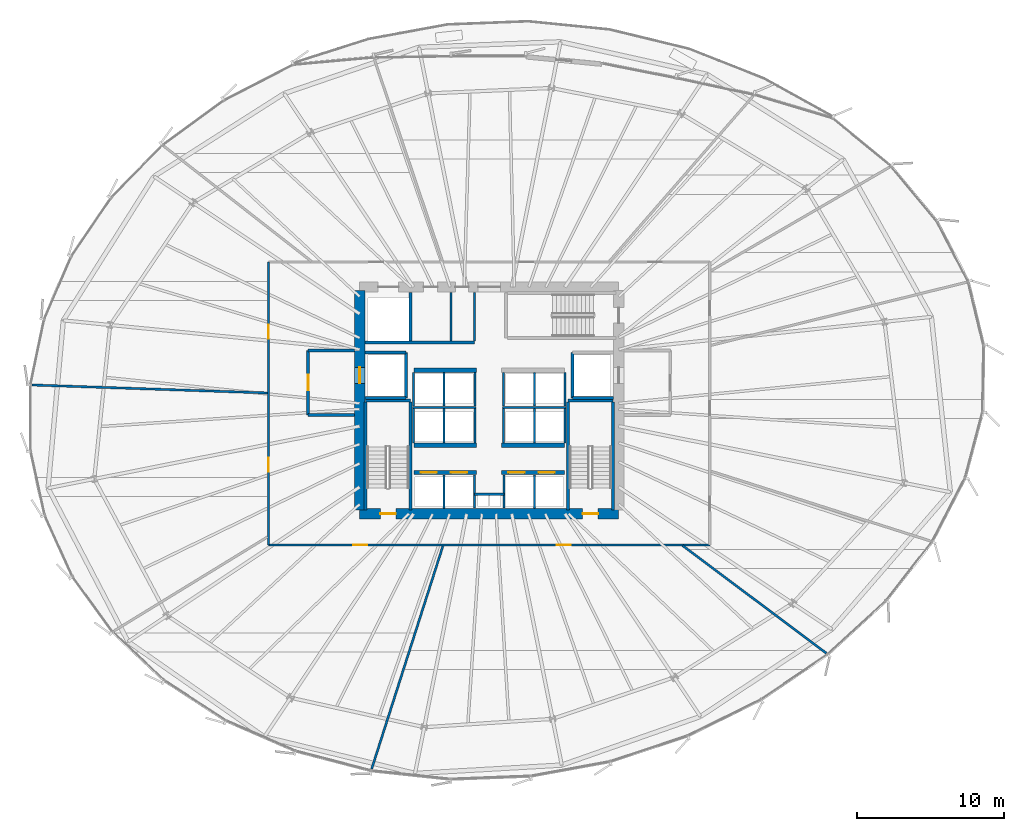
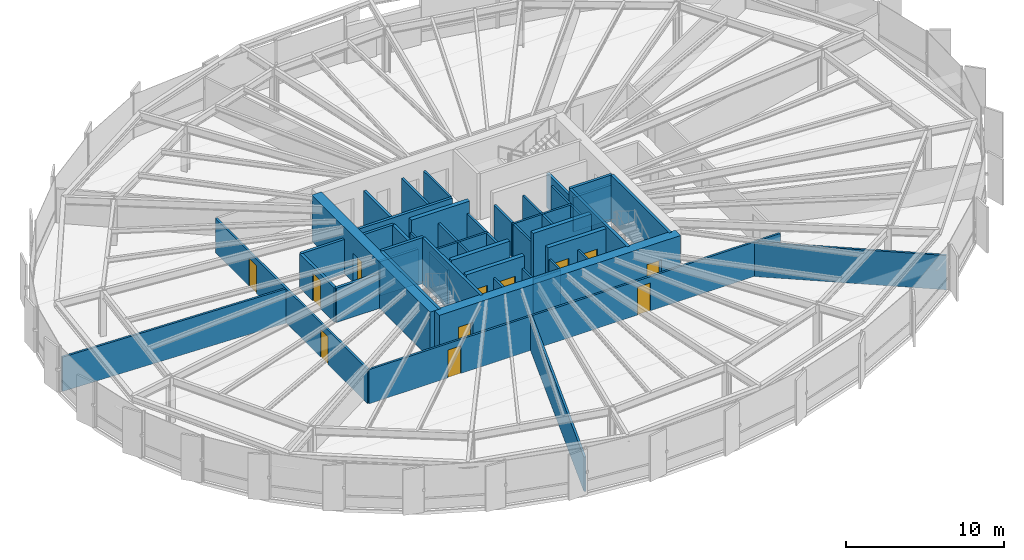
# One storey, part 30 of 37: 49 walls, 12 doors, 12 openings.
"""IFC4 building model written with IfcOpenShell, lengths in metres."""

from ifc_helpers import new_model, si_unit, direction, frame, frame_2d, origin, place, context, subcontext, project, spatial, rectangle, extrude, source, transform, mapped, material, layer, layer_set, type_object, element, fill, save


model = new_model("IFC4")

# Units and contexts
model_context = context("Model", 3, precision=1e-05, world=origin(), true_north=direction((0.0, 1.0)))
body_context = subcontext(model_context, "Body", "Model", "MODEL_VIEW")
ifc_project = project(units=[si_unit("LENGTHUNIT", "METRE"), si_unit("AREAUNIT", "SQUARE_METRE"), si_unit("VOLUMEUNIT", "CUBIC_METRE"), si_unit("PLANEANGLEUNIT", "RADIAN"), si_unit("MASSUNIT", "GRAM", prefix="KILO"), si_unit("THERMODYNAMICTEMPERATUREUNIT", "KELVIN")], contexts=[model_context])

# Site, building, storey
site_placement = place(None, origin())
site = spatial("IfcSite", under=ifc_project, at=site_placement, CompositionType="ELEMENT")
building_placement = place(site_placement, origin())
building = spatial("IfcBuilding", under=site, at=building_placement, Name="Kethvar Cultural Tower", CompositionType="ELEMENT")
storey_placement = place(building_placement, frame((0.0, 0.0, 56.199951171875)))
storey = spatial("IfcBuildingStorey", under=building, at=storey_placement, Name="L13", CompositionType="ELEMENT", Elevation=56.199951171875)

# Wall, openings, doors
ifc_material_1 = material(Name="Concrete C60/75", Category="concrete")
ifc_layer_1 = layer(ifc_material_1, 0.699951171875, Name="Concrete C60/75", Category="concrete")
ifc_layer_set_1 = layer_set([ifc_layer_1], Name="Concrete C60/75 (700 mm)")
wall_type_1 = type_object("IfcWallType", Name="WL-CORE-700", PredefinedType="SHEAR", material=ifc_layer_set_1)
wall_1_placement = place(storey_placement, frame((38.0, 20.10009765625, 0.0), z_axis=(0.0, 0.0, 1.0), x_axis=(1.0, 0.0, 0.0)))
wall_1 = element("IfcWall", 1, at=wall_1_placement, inside=storey, type_object=wall_type_1, Name="L13 Core Shear Wall S", PredefinedType="SHEAR", context=body_context, shape_type="SweptSolid", body=[
    extrude(rectangle(XDim=17.60009765625, YDim=0.699951171875, at=frame_2d((8.800048828125, 0.0))), origin(), (0.0, 0.0, 1.0), 3.550048828125),
])
opening_1_placement = place(wall_1_placement, frame((1.39990234375, 0.0, 0.0)))
opening_1 = element("IfcOpeningElement", 2, at=opening_1_placement, cuts=wall_1, Name="Opening D-L13-S1", PredefinedType="OPENING", context=body_context, shape_type="SweptSolid", body=[
    extrude(rectangle(XDim=1.050048828125, YDim=2.14990234375, at=frame_2d((0.52490234375, 1.074951171875))), frame((0.0, 0.35986328125, 0.0), z_axis=(0.0, -1.0, 0.0), x_axis=(1.0, 0.0, 0.0)), (0.0, 0.0, 1.0), 0.719970703125),
])
opening_2_placement = place(wall_1_placement, frame((15.14990234375, 0.0, 0.0)))
opening_2 = element("IfcOpeningElement", 3, at=opening_2_placement, cuts=wall_1, Name="Opening D-L13-ST2", PredefinedType="OPENING", context=body_context, shape_type="SweptSolid", body=[
    extrude(rectangle(XDim=1.050048828125, YDim=2.14990234375, at=frame_2d((0.52490234375, 1.074951171875))), frame((0.0, 0.35986328125, 0.0), z_axis=(0.0, -1.0, 0.0), x_axis=(1.0, 0.0, 0.0)), (0.0, 0.0, 1.0), 0.719970703125),
])
ifc_material_2 = material(Name="Steel S355J2", Category="steel")
door_type_1 = type_object("IfcDoorType", Name="DR-FD60-1050", OperationType="NOTDEFINED", PredefinedType="DOOR", material=ifc_material_2)
shared_shape_1 = source(origin(), body_context, "Body", "SweptSolid", [
    extrude(rectangle(XDim=1.050048828125, YDim=2.14990234375, at=frame_2d((0.52490234375, 1.074951171875))), frame((0.0, 0.02490234375, 0.0), z_axis=(0.0, -1.0, 0.0), x_axis=(1.0, 0.0, 0.0)), (0.0, 0.0, 1.0), 0.050048828125),
])
door_1_placement = place(opening_1_placement, origin())
door_1 = element("IfcDoor", 4, at=door_1_placement, inside=storey, type_object=door_type_1, Name="L13 Exit Stair 1 Door", OperationType="SINGLE_SWING_LEFT", OverallHeight=2.14990234375, OverallWidth=1.050048828125, PredefinedType="DOOR", context=body_context, shape_type="MappedRepresentation", body=[
    mapped(shared_shape_1, transform((0.0, 0.0, 0.0), scale=1.0)),
])
fill(opening_1, door_1)
door_2_placement = place(opening_2_placement, origin())
door_2 = element("IfcDoor", 5, at=door_2_placement, inside=storey, type_object=door_type_1, Name="L13 Exit Stair 2 Door", OperationType="SINGLE_SWING_RIGHT", OverallHeight=2.14990234375, OverallWidth=1.050048828125, PredefinedType="DOOR", context=body_context, shape_type="MappedRepresentation", body=[
    mapped(shared_shape_1, transform((0.0, 0.0, 0.0), scale=1.0)),
])
fill(opening_2, door_2)

# Wall, opening, door
wall_2_placement = place(storey_placement, frame((38.0, 35.260009765625, 0.0), z_axis=(0.0, 0.0, 1.0), x_axis=(0.0, -1.0, 0.0)))
wall_2 = element("IfcWall", 6, at=wall_2_placement, inside=storey, type_object=wall_type_1, Name="L13 Core Shear Wall W", PredefinedType="SHEAR", context=body_context, shape_type="SweptSolid", body=[
    extrude(rectangle(XDim=14.919921875, YDim=0.699951171875, at=frame_2d((7.4599609375, 0.0))), origin(), (0.0, 0.0, 1.0), 3.550048828125),
])
opening_3_placement = place(wall_2_placement, frame((5.2099609375, 0.0, 0.0)))
opening_3 = element("IfcOpeningElement", 7, at=opening_3_placement, cuts=wall_2, Name="Opening LD-1", PredefinedType="OPENING", context=body_context, shape_type="SweptSolid", body=[
    extrude(rectangle(XDim=1.10009765625, YDim=2.199951171875, at=frame_2d((0.550048828125, 1.10009765625))), frame((0.0, 0.35986328125, 0.0), z_axis=(0.0, -1.0, 0.0), x_axis=(1.0, 0.0, 0.0)), (0.0, 0.0, 1.0), 0.719970703125),
])
door_type_2 = type_object("IfcDoorType", Name="DR-LIFT-SLIDE-1100", OperationType="NOTDEFINED", PredefinedType="DOOR", material=ifc_material_2)
shared_shape_2 = source(origin(), body_context, "Body", "SweptSolid", [
    extrude(rectangle(XDim=1.10009765625, YDim=2.199951171875, at=frame_2d((0.550048828125, 1.10009765625))), frame((0.0, 0.02490234375, 0.0), z_axis=(0.0, -1.0, 0.0), x_axis=(1.0, 0.0, 0.0)), (0.0, 0.0, 1.0), 0.050048828125),
])
door_3_placement = place(opening_3_placement, origin())
door_3 = element("IfcDoor", 8, at=door_3_placement, inside=storey, type_object=door_type_2, Name="L13 Firefighting Lift Landing Door FFL-01", OperationType="SLIDING_TO_LEFT", OverallHeight=2.199951171875, OverallWidth=1.10009765625, PredefinedType="DOOR", context=body_context, shape_type="MappedRepresentation", body=[
    mapped(shared_shape_2, transform((0.0, 0.0, 0.0), scale=1.0)),
])
fill(opening_3, door_3)

# Walls
ifc_material_3 = material(Name="Gypsum Fireboard Partition")
ifc_layer_2 = layer(ifc_material_3, 0.14990234375, Name="Gypsum Fireboard Partition")
ifc_layer_set_2 = layer_set([ifc_layer_2], Name="Gypsum Fireboard Partition (150 mm)")
wall_type_2 = type_object("IfcWallType", Name="WL-FIRE-150", PredefinedType="PARTITIONING", material=ifc_layer_set_2)
wall_3_placement = place(storey_placement, frame((45.800048828125, 21.419921875, 0.0), z_axis=(0.0, 0.0, 1.0), x_axis=(1.0, 0.0, 0.0)))
element("IfcWall", 9, at=wall_3_placement, inside=storey, type_object=wall_type_2, Name="L13 Core Riser Wall", PredefinedType="PARTITIONING", context=body_context, shape_type="SweptSolid", body=[
    extrude(rectangle(XDim=2.0, YDim=0.14990234375, at=frame_2d((1.0, 0.0))), origin(), (0.0, 0.0, 1.0), 2.64501953125),
])
for number, where, z_axis, x_axis, name in (
    (10, (45.800048828125, 20.47998046875, 0.0), (0.0, 0.0, 1.0), (0.0, 1.0, 0.0), "L13 Core Riser West Wall"),
    (11, (47.800048828125, 20.47998046875, 0.0), (0.0, 0.0, 1.0), (0.0, 1.0, 0.0), "L13 Core Riser East Wall"),
):
    element("IfcWall", number, at=place(storey_placement, frame(where, z_axis=z_axis, x_axis=x_axis)), inside=storey, type_object=wall_type_2, Name=name, PredefinedType="PARTITIONING", context=body_context, shape_type="SweptSolid", body=[
        extrude(rectangle(XDim=2.239990234375, YDim=0.14990234375, at=frame_2d((1.1201171875, 0.0))), origin(), (0.0, 0.0, 1.0), 2.64501953125),
    ])
for number, where, z_axis, x_axis, name in (
    (12, (43.72509765625, 20.4599609375, 0.0), (0.0, 0.0, 1.0), (0.0, 1.0, 0.0), "L13 Low-Rise Lift Shaft Divider W"),
    (13, (49.875, 20.4599609375, 0.0), (0.0, 0.0, 1.0), (0.0, 1.0, 0.0), "L13 Low-Rise Lift Shaft Divider E"),
):
    element("IfcWall", number, at=place(storey_placement, frame(where, z_axis=z_axis, x_axis=x_axis)), inside=storey, type_object=wall_type_2, Name=name, PredefinedType="PARTITIONING", context=body_context, shape_type="SweptSolid", body=[
        extrude(rectangle(XDim=2.27001953125, YDim=0.14990234375, at=frame_2d((1.135009765625, 0.0))), origin(), (0.0, 0.0, 1.0), 2.64501953125),
    ])
wall_4_placement = place(storey_placement, frame((41.580078125, 27.324951171875, 0.0), z_axis=(0.0, 0.0, 1.0), x_axis=(1.0, 0.0, 0.0)))
element("IfcWall", 14, at=wall_4_placement, inside=storey, type_object=wall_type_2, Name="L13 Mid-High Lift Shaft Back Wall W", PredefinedType="PARTITIONING", context=body_context, shape_type="SweptSolid", body=[
    extrude(rectangle(XDim=4.31982421875, YDim=0.14990234375, at=frame_2d((2.159912109375, 0.0))), origin(), (0.0, 0.0, 1.0), 2.64501953125),
])
wall_5_placement = place(storey_placement, frame((47.699951171875, 27.324951171875, 0.0), z_axis=(0.0, 0.0, 1.0), x_axis=(1.0, 0.0, 0.0)))
element("IfcWall", 15, at=wall_5_placement, inside=storey, type_object=wall_type_2, Name="L13 Mid-High Lift Shaft Back Wall E", PredefinedType="PARTITIONING", context=body_context, shape_type="SweptSolid", body=[
    extrude(rectangle(XDim=4.320068359375, YDim=0.14990234375, at=frame_2d((2.16015625, 0.0))), origin(), (0.0, 0.0, 1.0), 2.64501953125),
])
for number, where, z_axis, x_axis, name in (
    (16, (41.64990234375, 24.919921875, 0.0), (0.0, 0.0, 1.0), (0.0, 1.0, 0.0), "L13 Mid-Rise Lift Shaft Outer Wall W"),
    (17, (43.72509765625, 24.919921875, 0.0), (0.0, 0.0, 1.0), (0.0, 1.0, 0.0), "L13 Mid-Rise Lift Shaft Divider W"),
    (18, (45.824951171875, 24.919921875, 0.0), (0.0, 0.0, 1.0), (0.0, 1.0, 0.0), "L13 Mid-Rise Lift Shaft Concourse Wall W"),
    (19, (47.77490234375, 24.919921875, 0.0), (0.0, 0.0, 1.0), (0.0, 1.0, 0.0), "L13 Mid-Rise Lift Shaft Concourse Wall E"),
    (20, (49.875, 24.919921875, 0.0), (0.0, 0.0, 1.0), (0.0, 1.0, 0.0), "L13 Mid-Rise Lift Shaft Divider E"),
    (21, (51.949951171875, 24.919921875, 0.0), (0.0, 0.0, 1.0), (0.0, 1.0, 0.0), "L13 Mid-Rise Lift Shaft Outer Wall E"),
):
    element("IfcWall", number, at=place(storey_placement, frame(where, z_axis=z_axis, x_axis=x_axis)), inside=storey, type_object=wall_type_2, Name=name, PredefinedType="PARTITIONING", context=body_context, shape_type="SweptSolid", body=[
        extrude(rectangle(XDim=2.320068359375, YDim=0.14990234375, at=frame_2d((1.16015625, 0.0))), origin(), (0.0, 0.0, 1.0), 2.64501953125),
    ])
for number, where, z_axis, x_axis, name in (
    (22, (41.64990234375, 27.409912109375, 0.0), (0.0, 0.0, 1.0), (0.0, 1.0, 0.0), "L13 High-Rise Lift Shaft Outer Wall W"),
    (23, (43.72509765625, 27.409912109375, 0.0), (0.0, 0.0, 1.0), (0.0, 1.0, 0.0), "L13 High-Rise Lift Shaft Divider W"),
    (24, (45.824951171875, 27.409912109375, 0.0), (0.0, 0.0, 1.0), (0.0, 1.0, 0.0), "L13 High-Rise Lift Shaft Concourse Wall W"),
    (25, (47.77490234375, 27.409912109375, 0.0), (0.0, 0.0, 1.0), (0.0, 1.0, 0.0), "L13 High-Rise Lift Shaft Concourse Wall E"),
    (26, (49.875, 27.409912109375, 0.0), (0.0, 0.0, 1.0), (0.0, 1.0, 0.0), "L13 High-Rise Lift Shaft Divider E"),
    (27, (51.949951171875, 27.409912109375, 0.0), (0.0, 0.0, 1.0), (0.0, 1.0, 0.0), "L13 High-Rise Lift Shaft Outer Wall E"),
):
    element("IfcWall", number, at=place(storey_placement, frame(where, z_axis=z_axis, x_axis=x_axis)), inside=storey, type_object=wall_type_2, Name=name, PredefinedType="PARTITIONING", context=body_context, shape_type="SweptSolid", body=[
        extrude(rectangle(XDim=2.27001953125, YDim=0.14990234375, at=frame_2d((1.135009765625, 0.0))), origin(), (0.0, 0.0, 1.0), 2.64501953125),
    ])
wall_6_placement = place(storey_placement, frame((45.800048828125, 31.85009765625, 0.0), z_axis=(0.0, 0.0, 1.0), x_axis=(0.0, 1.0, 0.0)))
element("IfcWall", 28, at=wall_6_placement, inside=storey, type_object=wall_type_2, Name="L13 Sanitary Spine Wall", PredefinedType="PARTITIONING", context=body_context, shape_type="SweptSolid", body=[
    extrude(rectangle(XDim=3.289794921875, YDim=0.14990234375, at=frame_2d((1.64501953125, 0.0))), origin(), (0.0, 0.0, 1.0), 2.64501953125),
])

# Wall, openings, doors
wall_7_placement = place(storey_placement, frame((31.81005859375, 17.97998046875, 0.0), z_axis=(0.0, 0.0, 1.0), x_axis=(1.0, 0.0, 0.0)))
wall_7 = element("IfcWall", 29, at=wall_7_placement, inside=storey, type_object=wall_type_2, Name="L13 Corridor Rated Wall S", PredefinedType="PARTITIONING", context=body_context, shape_type="SweptSolid", body=[
    extrude(rectangle(XDim=29.97998046875, YDim=0.14990234375, at=frame_2d((14.989990234375, 0.0))), origin(), (0.0, 0.0, 1.0), 2.64501953125),
])
opening_4_placement = place(wall_7_placement, frame((5.74853515625, 0.0, 0.0)))
opening_4 = element("IfcOpeningElement", 30, at=opening_4_placement, cuts=wall_7, Name="Opening D-L13-01", PredefinedType="OPENING", context=body_context, shape_type="SweptSolid", body=[
    extrude(rectangle(XDim=0.949951171875, YDim=2.14990234375, at=frame_2d((0.47509765625, 1.074951171875))), frame((0.0, 0.0849609375, 0.0), z_axis=(0.0, -1.0, 0.0), x_axis=(1.0, 0.0, 0.0)), (0.0, 0.0, 1.0), 0.169921875),
])
opening_5_placement = place(wall_7_placement, frame((19.577880859375, 0.0, 0.0)))
opening_5 = element("IfcOpeningElement", 31, at=opening_5_placement, cuts=wall_7, Name="Opening D-L13-02", PredefinedType="OPENING", context=body_context, shape_type="SweptSolid", body=[
    extrude(rectangle(XDim=0.949951171875, YDim=2.14990234375, at=frame_2d((0.47509765625, 1.074951171875))), frame((0.0, 0.0849609375, 0.0), z_axis=(0.0, -1.0, 0.0), x_axis=(1.0, 0.0, 0.0)), (0.0, 0.0, 1.0), 0.169921875),
])
ifc_material_4 = material(Name="Architectural Oak Timber", Category="wood")
door_type_3 = type_object("IfcDoorType", Name="DR-FD30-950", OperationType="NOTDEFINED", PredefinedType="DOOR", material=ifc_material_4)
shared_shape_3 = source(origin(), body_context, "Body", "SweptSolid", [
    extrude(rectangle(XDim=0.949951171875, YDim=2.14990234375, at=frame_2d((0.47509765625, 1.074951171875))), frame((0.0, 0.02490234375, 0.0), z_axis=(0.0, -1.0, 0.0), x_axis=(1.0, 0.0, 0.0)), (0.0, 0.0, 1.0), 0.050048828125),
])
door_4_placement = place(opening_4_placement, origin())
door_4 = element("IfcDoor", 32, at=door_4_placement, inside=storey, type_object=door_type_3, Name="L13 Contemporary Art Salon 01 Door", OperationType="SINGLE_SWING_RIGHT", OverallHeight=2.14990234375, OverallWidth=0.949951171875, PredefinedType="DOOR", context=body_context, shape_type="MappedRepresentation", body=[
    mapped(shared_shape_3, transform((0.0, 0.0, 0.0), scale=1.0)),
])
fill(opening_4, door_4)
door_5_placement = place(opening_5_placement, origin())
door_5 = element("IfcDoor", 33, at=door_5_placement, inside=storey, type_object=door_type_3, Name="L13 Main Public Reading Library 02 Door", OperationType="SINGLE_SWING_LEFT", OverallHeight=2.14990234375, OverallWidth=0.949951171875, PredefinedType="DOOR", context=body_context, shape_type="MappedRepresentation", body=[
    mapped(shared_shape_3, transform((0.0, 0.0, 0.0), scale=1.0)),
])
fill(opening_5, door_5)

wall_8_placement = place(storey_placement, frame((31.81005859375, 37.199951171875, 0.0), z_axis=(0.0, 0.0, 1.0), x_axis=(0.0, -1.0, 0.0)))
wall_8 = element("IfcWall", 34, at=wall_8_placement, inside=storey, type_object=wall_type_2, Name="L13 Corridor Rated Wall W", PredefinedType="PARTITIONING", context=body_context, shape_type="SweptSolid", body=[
    extrude(rectangle(XDim=19.219970703125, YDim=0.14990234375, at=frame_2d((9.60986328125, 0.0))), origin(), (0.0, 0.0, 1.0), 2.64501953125),
])
opening_6_placement = place(wall_8_placement, frame((4.262939453125, 0.0, 0.0)))
opening_6 = element("IfcOpeningElement", 35, at=opening_6_placement, cuts=wall_8, Name="Opening D-L13-09", PredefinedType="OPENING", context=body_context, shape_type="SweptSolid", body=[
    extrude(rectangle(XDim=0.949951171875, YDim=2.14990234375, at=frame_2d((0.47509765625, 1.074951171875))), frame((0.0, 0.0849609375, 0.0), z_axis=(0.0, -1.0, 0.0), x_axis=(1.0, 0.0, 0.0)), (0.0, 0.0, 1.0), 0.169921875),
])
opening_7_placement = place(wall_8_placement, frame((13.29296875, 0.0, 0.0)))
opening_7 = element("IfcOpeningElement", 36, at=opening_7_placement, cuts=wall_8, Name="Opening D-L13-10", PredefinedType="OPENING", context=body_context, shape_type="SweptSolid", body=[
    extrude(rectangle(XDim=0.949951171875, YDim=2.14990234375, at=frame_2d((0.47509765625, 1.074951171875))), frame((0.0, 0.0849609375, 0.0), z_axis=(0.0, -1.0, 0.0), x_axis=(1.0, 0.0, 0.0)), (0.0, 0.0, 1.0), 0.169921875),
])
door_6_placement = place(opening_6_placement, origin())
door_6 = element("IfcDoor", 37, at=door_6_placement, inside=storey, type_object=door_type_3, Name="L13 Fellowship Seminar Room 09 Door", OperationType="SINGLE_SWING_RIGHT", OverallHeight=2.14990234375, OverallWidth=0.949951171875, PredefinedType="DOOR", context=body_context, shape_type="MappedRepresentation", body=[
    mapped(shared_shape_3, transform((0.0, 0.0, 0.0), scale=1.0)),
])
fill(opening_6, door_6)
door_7_placement = place(opening_7_placement, origin())
door_7 = element("IfcDoor", 38, at=door_7_placement, inside=storey, type_object=door_type_3, Name="L13 Editorial Partner Office 10 Door", OperationType="SINGLE_SWING_LEFT", OverallHeight=2.14990234375, OverallWidth=0.949951171875, PredefinedType="DOOR", context=body_context, shape_type="MappedRepresentation", body=[
    mapped(shared_shape_3, transform((0.0, 0.0, 0.0), scale=1.0)),
])
fill(opening_7, door_7)

# Walls
ifc_material_5 = material(Name="Concrete C40/50", Category="concrete")
ifc_layer_3 = layer(ifc_material_5, 0.199951171875, Name="Concrete C40/50", Category="concrete")
ifc_layer_set_3 = layer_set([ifc_layer_3], Name="Concrete C40/50 (200 mm)")
wall_type_3 = type_object("IfcWallType", Name="WL-FIRE-200", PredefinedType="PARTITIONING", material=ifc_layer_set_3)
wall_9_placement = place(storey_placement, frame((41.14990234375, 27.949951171875, 0.0), z_axis=(0.0, 0.0, 1.0), x_axis=(0.0, 1.0, 0.0)))
element("IfcWall", 39, at=wall_9_placement, inside=storey, type_object=wall_type_3, Name="L13 FFL-01 Shaft Inner Wall", PredefinedType="PARTITIONING", context=body_context, shape_type="SweptSolid", body=[
    extrude(rectangle(XDim=3.10009765625, YDim=0.199951171875, at=frame_2d((1.550048828125, 0.0))), origin(), (0.0, 0.0, 1.0), 2.64501953125),
])
for number, where, z_axis, x_axis, name in (
    (40, (38.360107421875, 27.949951171875, 0.0), (0.0, 0.0, 1.0), (1.0, 0.0, 0.0), "L13 FFL-01 Shaft South Wall"),
    (41, (38.360107421875, 31.050048828125, 0.0), (0.0, 0.0, 1.0), (1.0, 0.0, 0.0), "L13 FFL-01 Shaft North Wall"),
):
    element("IfcWall", number, at=place(storey_placement, frame(where, z_axis=z_axis, x_axis=x_axis)), inside=storey, type_object=wall_type_3, Name=name, PredefinedType="PARTITIONING", context=body_context, shape_type="SweptSolid", body=[
        extrude(rectangle(XDim=2.789794921875, YDim=0.199951171875, at=frame_2d((1.39501953125, 0.0))), origin(), (0.0, 0.0, 1.0), 2.64501953125),
    ])

# Wall, opening, door
wall_10_placement = place(storey_placement, frame((34.5, 31.199951171875, 0.0), z_axis=(0.0, 0.0, 1.0), x_axis=(0.0, -1.0, 0.0)))
wall_10 = element("IfcWall", 42, at=wall_10_placement, inside=storey, type_object=wall_type_3, Name="L13 Firefighting Lobby 1 Wall", PredefinedType="PARTITIONING", context=body_context, shape_type="SweptSolid", body=[
    extrude(rectangle(XDim=4.39990234375, YDim=0.199951171875, at=frame_2d((2.199951171875, 0.0))), origin(), (0.0, 0.0, 1.0), 2.64501953125),
])
opening_8_placement = place(wall_10_placement, frame((1.64990234375, 0.0, 0.0)))
opening_8 = element("IfcOpeningElement", 43, at=opening_8_placement, cuts=wall_10, Name="Opening D-L13-F1", PredefinedType="OPENING", context=body_context, shape_type="SweptSolid", body=[
    extrude(rectangle(XDim=1.050048828125, YDim=2.14990234375, at=frame_2d((0.52490234375, 1.074951171875))), frame((0.0, 0.10986328125, 0.0), z_axis=(0.0, -1.0, 0.0), x_axis=(1.0, 0.0, 0.0)), (0.0, 0.0, 1.0), 0.219970703125),
])
door_8_placement = place(opening_8_placement, origin())
door_8 = element("IfcDoor", 44, at=door_8_placement, inside=storey, type_object=door_type_1, Name="L13 Firefighting Lobby 1 Fire Door", OperationType="SINGLE_SWING_LEFT", OverallHeight=2.14990234375, OverallWidth=1.050048828125, PredefinedType="DOOR", context=body_context, shape_type="MappedRepresentation", body=[
    mapped(shared_shape_1, transform((0.0, 0.0, 0.0), scale=1.0)),
])
fill(opening_8, door_8)

# Walls
for number, where, z_axis, x_axis, name in (
    (45, (34.5, 26.800048828125, 0.0), (0.0, 0.0, 1.0), (1.0, 0.0, 0.0), "L13 FF Lobby 1 South Wall"),
    (46, (34.5, 31.199951171875, 0.0), (0.0, 0.0, 1.0), (1.0, 0.0, 0.0), "L13 FF Lobby 1 North Wall"),
):
    element("IfcWall", number, at=place(storey_placement, frame(where, z_axis=z_axis, x_axis=x_axis)), inside=storey, type_object=wall_type_3, Name=name, PredefinedType="PARTITIONING", context=body_context, shape_type="SweptSolid", body=[
        extrude(rectangle(XDim=3.139892578125, YDim=0.199951171875, at=frame_2d((1.56982421875, 0.0))), origin(), (0.0, 0.0, 1.0), 2.64501953125),
    ])
wall_11_placement = place(storey_placement, frame((52.449951171875, 27.949951171875, 0.0), z_axis=(0.0, 0.0, 1.0), x_axis=(0.0, 1.0, 0.0)))
element("IfcWall", 47, at=wall_11_placement, inside=storey, type_object=wall_type_3, Name="L13 FFL-02 Shaft Inner Wall", PredefinedType="PARTITIONING", context=body_context, shape_type="SweptSolid", body=[
    extrude(rectangle(XDim=3.10009765625, YDim=0.199951171875, at=frame_2d((1.550048828125, 0.0))), origin(), (0.0, 0.0, 1.0), 2.64501953125),
])
wall_12_placement = place(storey_placement, frame((52.449951171875, 27.949951171875, 0.0), z_axis=(0.0, 0.0, 1.0), x_axis=(1.0, 0.0, 0.0)))
element("IfcWall", 48, at=wall_12_placement, inside=storey, type_object=wall_type_3, Name="L13 FFL-02 Shaft South Wall", PredefinedType="PARTITIONING", context=body_context, shape_type="SweptSolid", body=[
    extrude(rectangle(XDim=2.7900390625, YDim=0.199951171875, at=frame_2d((1.39501953125, 0.0))), origin(), (0.0, 0.0, 1.0), 2.64501953125),
])
wall_13_placement = place(storey_placement, frame((41.449951171875, 31.85009765625, 0.0), z_axis=(0.0, 0.0, 1.0), x_axis=(0.0, 1.0, 0.0)))
element("IfcWall", 49, at=wall_13_placement, inside=storey, type_object=wall_type_3, Name="L13 NW Core Pocket Wall", PredefinedType="PARTITIONING", context=body_context, shape_type="SweptSolid", body=[
    extrude(rectangle(XDim=3.289794921875, YDim=0.199951171875, at=frame_2d((1.64501953125, 0.0))), origin(), (0.0, 0.0, 1.0), 2.64501953125),
])
wall_14_placement = place(storey_placement, frame((38.360107421875, 31.72998046875, 0.0), z_axis=(0.0, 0.0, 1.0), x_axis=(1.0, 0.0, 0.0)))
element("IfcWall", 50, at=wall_14_placement, inside=storey, type_object=wall_type_3, Name="L13 North Core Sanitary South Wall", PredefinedType="PARTITIONING", context=body_context, shape_type="SweptSolid", body=[
    extrude(rectangle(XDim=7.43994140625, YDim=0.199951171875, at=frame_2d((3.719970703125, 0.0))), origin(), (0.0, 0.0, 1.0), 2.64501953125),
])
ifc_material_6 = material(Name="Gypsum Acoustic Partition")
ifc_layer_4 = layer(ifc_material_6, 0.14990234375, Name="Gypsum Acoustic Partition")
ifc_layer_set_4 = layer_set([ifc_layer_4], Name="Gypsum Acoustic Partition (150 mm)")
wall_type_4 = type_object("IfcWallType", Name="WL-PART-150", PredefinedType="PARTITIONING", material=ifc_layer_set_4)
wall_15_placement = place(storey_placement, frame((43.65283203125, 17.90380859375, 0.0), z_axis=(0.0, 0.0, 1.0), x_axis=(-0.304468218161, -0.952522495341, 0.0)))
element("IfcWall", 51, at=wall_15_placement, inside=storey, type_object=wall_type_4, Name="L13 Radial Partition Wall 02", PredefinedType="PARTITIONING", context=body_context, shape_type="SweptSolid", body=[
    extrude(rectangle(XDim=15.902587890625, YDim=0.14990234375, at=frame_2d((7.951171875, 0.0))), origin(), (0.0, 0.0, 1.0), 2.64501953125),
])
wall_16_placement = place(storey_placement, frame((59.940185546875, 17.93212890625, 0.0), z_axis=(0.0, 0.0, 1.0), x_axis=(0.800669778712, -0.599105921735, 0.0)))
element("IfcWall", 52, at=wall_16_placement, inside=storey, type_object=wall_type_4, Name="L13 Radial Partition Wall 03", PredefinedType="PARTITIONING", context=body_context, shape_type="SweptSolid", body=[
    extrude(rectangle(XDim=12.194580078125, YDim=0.14990234375, at=frame_2d((6.09716796875, 0.0))), origin(), (0.0, 0.0, 1.0), 2.64501953125),
])
wall_17_placement = place(storey_placement, frame((31.72998046875, 28.306396484375, 0.0), z_axis=(0.0, 0.0, 1.0), x_axis=(-0.999426166125, 0.033872384993, 0.0)))
element("IfcWall", 53, at=wall_17_placement, inside=storey, type_object=wall_type_4, Name="L13 Radial Partition Wall 10", PredefinedType="PARTITIONING", context=body_context, shape_type="SweptSolid", body=[
    extrude(rectangle(XDim=15.993896484375, YDim=0.14990234375, at=frame_2d((7.9970703125, 0.0))), origin(), (0.0, 0.0, 1.0), 2.64501953125),
])
ifc_material_7 = material(Name="Moisture-Resistant Sanitary Chase Wall")
ifc_layer_5 = layer(ifc_material_7, 0.14990234375, Name="Moisture-Resistant Sanitary Chase Wall")
ifc_layer_set_5 = layer_set([ifc_layer_5], Name="Moisture-Resistant Sanitary Chase Wall (150 mm)")
wall_type_5 = type_object("IfcWallType", Name="WL-PLUMB-150", PredefinedType="PLUMBINGWALL", material=ifc_layer_set_5)
wall_18_placement = place(storey_placement, frame((44.199951171875, 31.85009765625, 0.0), z_axis=(0.0, 0.0, 1.0), x_axis=(0.0, 1.0, 0.0)))
element("IfcWall", 54, at=wall_18_placement, inside=storey, type_object=wall_type_5, Name="L13 Sanitary Plumbing Wall", PredefinedType="PLUMBINGWALL", context=body_context, shape_type="SweptSolid", body=[
    extrude(rectangle(XDim=3.289794921875, YDim=0.14990234375, at=frame_2d((1.64501953125, 0.0))), origin(), (0.0, 0.0, 1.0), 2.64501953125),
])

# Wall, openings, doors
ifc_material_8 = material(Name="Concrete C50/60", Category="concrete")
ifc_layer_6 = layer(ifc_material_8, 0.300048828125, Name="Concrete C50/60", Category="concrete")
ifc_layer_set_6 = layer_set([ifc_layer_6], Name="Concrete C50/60 (300 mm)")
wall_type_6 = type_object("IfcWallType", Name="WL-SHAFT-300", PredefinedType="SHEAR", material=ifc_layer_set_6)
wall_19_placement = place(storey_placement, frame((41.699951171875, 22.89990234375, 0.0), z_axis=(0.0, 0.0, 1.0), x_axis=(1.0, 0.0, 0.0)))
wall_19 = element("IfcWall", 55, at=wall_19_placement, inside=storey, type_object=wall_type_6, Name="L13 Core Lift Spine Wall MID1W", PredefinedType="SHEAR", context=body_context, shape_type="SweptSolid", body=[
    extrude(rectangle(XDim=4.25, YDim=0.300048828125, at=frame_2d((2.125, 0.0))), origin(), (0.0, 0.0, 1.0), 3.550048828125),
])
opening_9_placement = place(wall_19_placement, frame((0.449951171875, 0.0, 0.0)))
opening_9 = element("IfcOpeningElement", 56, at=opening_9_placement, cuts=wall_19, Name="Opening LD-L1", PredefinedType="OPENING", context=body_context, shape_type="SweptSolid", body=[
    extrude(rectangle(XDim=1.10009765625, YDim=2.199951171875, at=frame_2d((0.550048828125, 1.10009765625))), frame((0.0, 0.159912109375, 0.0), z_axis=(0.0, -1.0, 0.0), x_axis=(1.0, 0.0, 0.0)), (0.0, 0.0, 1.0), 0.320068359375),
])
opening_10_placement = place(wall_19_placement, frame((2.5, 0.0, 0.0)))
opening_10 = element("IfcOpeningElement", 57, at=opening_10_placement, cuts=wall_19, Name="Opening LD-L2", PredefinedType="OPENING", context=body_context, shape_type="SweptSolid", body=[
    extrude(rectangle(XDim=1.10009765625, YDim=2.199951171875, at=frame_2d((0.550048828125, 1.10009765625))), frame((0.0, 0.159912109375, 0.0), z_axis=(0.0, -1.0, 0.0), x_axis=(1.0, 0.0, 0.0)), (0.0, 0.0, 1.0), 0.320068359375),
])
door_9_placement = place(opening_9_placement, origin())
door_9 = element("IfcDoor", 58, at=door_9_placement, inside=storey, type_object=door_type_2, Name="L13 Low-Rise Lift Landing Door L1", OperationType="SLIDING_TO_LEFT", OverallHeight=2.199951171875, OverallWidth=1.10009765625, PredefinedType="DOOR", context=body_context, shape_type="MappedRepresentation", body=[
    mapped(shared_shape_2, transform((0.0, 0.0, 0.0), scale=1.0)),
])
fill(opening_9, door_9)
door_10_placement = place(opening_10_placement, origin())
door_10 = element("IfcDoor", 59, at=door_10_placement, inside=storey, type_object=door_type_2, Name="L13 Low-Rise Lift Landing Door L2", OperationType="SLIDING_TO_LEFT", OverallHeight=2.199951171875, OverallWidth=1.10009765625, PredefinedType="DOOR", context=body_context, shape_type="MappedRepresentation", body=[
    mapped(shared_shape_2, transform((0.0, 0.0, 0.0), scale=1.0)),
])
fill(opening_10, door_10)

wall_20_placement = place(storey_placement, frame((47.64990234375, 22.89990234375, 0.0), z_axis=(0.0, 0.0, 1.0), x_axis=(1.0, 0.0, 0.0)))
wall_20 = element("IfcWall", 60, at=wall_20_placement, inside=storey, type_object=wall_type_6, Name="L13 Core Lift Spine Wall MID1E", PredefinedType="SHEAR", context=body_context, shape_type="SweptSolid", body=[
    extrude(rectangle(XDim=4.25, YDim=0.300048828125, at=frame_2d((2.125, 0.0))), origin(), (0.0, 0.0, 1.0), 3.550048828125),
])
opening_11_placement = place(wall_20_placement, frame((0.449951171875, 0.0, 0.0)))
opening_11 = element("IfcOpeningElement", 61, at=opening_11_placement, cuts=wall_20, Name="Opening LD-L3", PredefinedType="OPENING", context=body_context, shape_type="SweptSolid", body=[
    extrude(rectangle(XDim=1.10009765625, YDim=2.199951171875, at=frame_2d((0.550048828125, 1.10009765625))), frame((0.0, 0.159912109375, 0.0), z_axis=(0.0, -1.0, 0.0), x_axis=(1.0, 0.0, 0.0)), (0.0, 0.0, 1.0), 0.320068359375),
])
opening_12_placement = place(wall_20_placement, frame((2.5, 0.0, 0.0)))
opening_12 = element("IfcOpeningElement", 62, at=opening_12_placement, cuts=wall_20, Name="Opening LD-L4", PredefinedType="OPENING", context=body_context, shape_type="SweptSolid", body=[
    extrude(rectangle(XDim=1.10009765625, YDim=2.199951171875, at=frame_2d((0.550048828125, 1.10009765625))), frame((0.0, 0.159912109375, 0.0), z_axis=(0.0, -1.0, 0.0), x_axis=(1.0, 0.0, 0.0)), (0.0, 0.0, 1.0), 0.320068359375),
])
door_11_placement = place(opening_11_placement, origin())
door_11 = element("IfcDoor", 63, at=door_11_placement, inside=storey, type_object=door_type_2, Name="L13 Low-Rise Lift Landing Door L3", OperationType="SLIDING_TO_LEFT", OverallHeight=2.199951171875, OverallWidth=1.10009765625, PredefinedType="DOOR", context=body_context, shape_type="MappedRepresentation", body=[
    mapped(shared_shape_2, transform((0.0, 0.0, 0.0), scale=1.0)),
])
fill(opening_11, door_11)
door_12_placement = place(opening_12_placement, origin())
door_12 = element("IfcDoor", 64, at=door_12_placement, inside=storey, type_object=door_type_2, Name="L13 Low-Rise Lift Landing Door L4", OperationType="SLIDING_TO_LEFT", OverallHeight=2.199951171875, OverallWidth=1.10009765625, PredefinedType="DOOR", context=body_context, shape_type="MappedRepresentation", body=[
    mapped(shared_shape_2, transform((0.0, 0.0, 0.0), scale=1.0)),
])
fill(opening_12, door_12)

# Walls
for number, where, z_axis, x_axis, name in (
    (65, (41.699951171875, 24.75, 0.0), (0.0, 0.0, 1.0), (1.0, 0.0, 0.0), "L13 Core Lift Spine Wall MID2W"),
    (66, (47.64990234375, 24.75, 0.0), (0.0, 0.0, 1.0), (1.0, 0.0, 0.0), "L13 Core Lift Spine Wall MID2E"),
    (67, (41.699951171875, 29.85009765625, 0.0), (0.0, 0.0, 1.0), (1.0, 0.0, 0.0), "L13 Core Lift Spine Wall MID3W"),
):
    element("IfcWall", number, at=place(storey_placement, frame(where, z_axis=z_axis, x_axis=x_axis)), inside=storey, type_object=wall_type_6, Name=name, PredefinedType="SHEAR", context=body_context, shape_type="SweptSolid", body=[
        extrude(rectangle(XDim=4.25, YDim=0.300048828125, at=frame_2d((2.125, 0.0))), origin(), (0.0, 0.0, 1.0), 3.550048828125),
    ])
ifc_layer_7 = layer(ifc_material_8, 0.199951171875, Name="Concrete C50/60", Category="concrete")
ifc_layer_set_7 = layer_set([ifc_layer_7], Name="Concrete C50/60 (200 mm)")
wall_type_7 = type_object("IfcWallType", Name="WL-STSHAFT-200", PredefinedType="SHEAR", material=ifc_layer_set_7)
wall_21_placement = place(storey_placement, frame((38.389892578125, 27.800048828125, 0.0), z_axis=(0.0, 0.0, 1.0), x_axis=(1.0, 0.0, 0.0)))
element("IfcWall", 68, at=wall_21_placement, inside=storey, type_object=wall_type_7, Name="L13 ST-01 Stair Shaft Wall FAR", PredefinedType="SHEAR", context=body_context, shape_type="SweptSolid", body=[
    extrude(rectangle(XDim=3.06005859375, YDim=0.199951171875, at=frame_2d((1.530029296875, 0.0))), origin(), (0.0, 0.0, 1.0), 3.550048828125),
])
for number, where, z_axis, x_axis, name in (
    (69, (41.449951171875, 27.699951171875, 0.0), (0.0, 0.0, 1.0), (0.0, -1.0, 0.0), "L13 ST-01 Stair Shaft Wall LEFT"),
    (70, (38.389892578125, 20.35009765625, 0.0), (0.0, 0.0, 1.0), (0.0, 1.0, 0.0), "L13 ST-01 Stair Shaft Wall RIGHT"),
):
    element("IfcWall", number, at=place(storey_placement, frame(where, z_axis=z_axis, x_axis=x_axis)), inside=storey, type_object=wall_type_7, Name=name, PredefinedType="SHEAR", context=body_context, shape_type="SweptSolid", body=[
        extrude(rectangle(XDim=7.349853515625, YDim=0.199951171875, at=frame_2d((3.6748046875, 0.0))), origin(), (0.0, 0.0, 1.0), 3.550048828125),
    ])
wall_22_placement = place(storey_placement, frame((52.14990234375, 27.800048828125, 0.0), z_axis=(0.0, 0.0, 1.0), x_axis=(1.0, 0.0, 0.0)))
element("IfcWall", 71, at=wall_22_placement, inside=storey, type_object=wall_type_7, Name="L13 ST-02 Stair Shaft Wall FAR", PredefinedType="SHEAR", context=body_context, shape_type="SweptSolid", body=[
    extrude(rectangle(XDim=3.06005859375, YDim=0.199951171875, at=frame_2d((1.530029296875, 0.0))), origin(), (0.0, 0.0, 1.0), 3.550048828125),
])
for number, where, z_axis, x_axis, name in (
    (72, (55.2099609375, 27.699951171875, 0.0), (0.0, 0.0, 1.0), (0.0, -1.0, 0.0), "L13 ST-02 Stair Shaft Wall LEFT"),
    (73, (52.14990234375, 20.35009765625, 0.0), (0.0, 0.0, 1.0), (0.0, 1.0, 0.0), "L13 ST-02 Stair Shaft Wall RIGHT"),
):
    element("IfcWall", number, at=place(storey_placement, frame(where, z_axis=z_axis, x_axis=x_axis)), inside=storey, type_object=wall_type_7, Name=name, PredefinedType="SHEAR", context=body_context, shape_type="SweptSolid", body=[
        extrude(rectangle(XDim=7.349853515625, YDim=0.199951171875, at=frame_2d((3.6748046875, 0.0))), origin(), (0.0, 0.0, 1.0), 3.550048828125),
    ])

save(model, "model.ifc")
